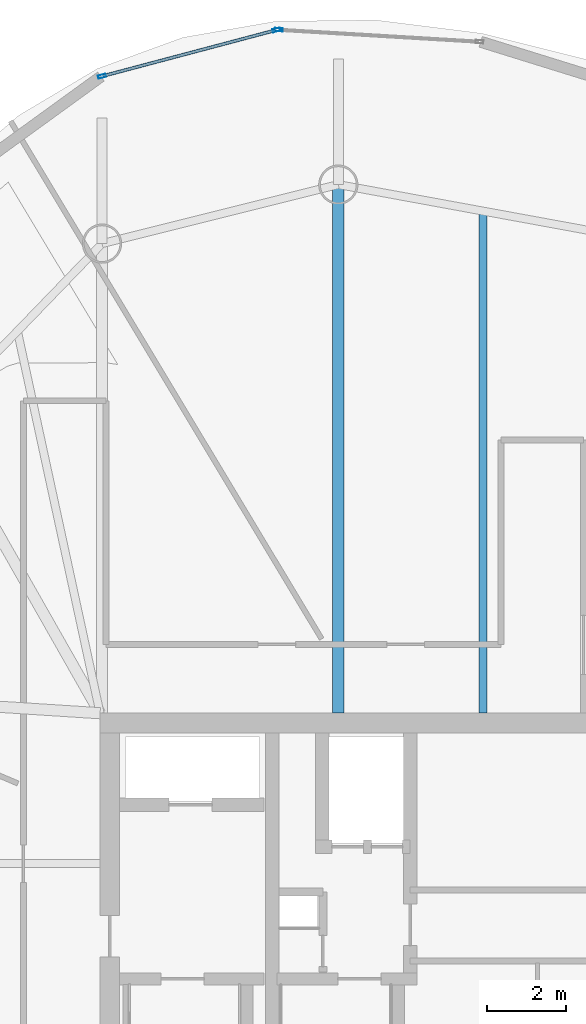
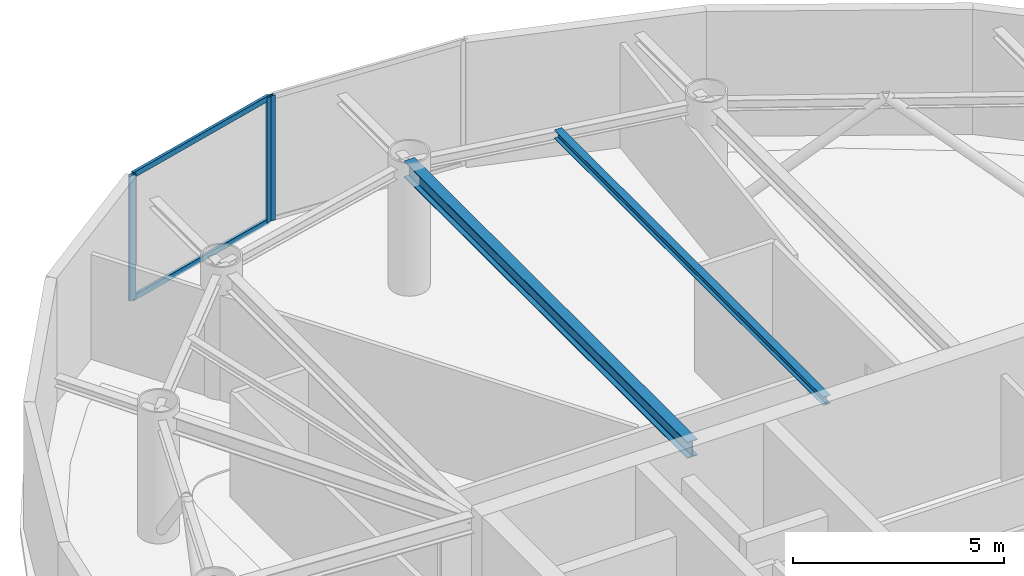
# One storey, part 9 of 19: 5 members, 2 beams, 2 elements without a shape of their own.
"""IFC4 building model written with IfcOpenShell, lengths in metres."""

from ifc_helpers import new_model, si_unit, direction, frame, origin, origin_2d, place, context, subcontext, project, spatial, hollow_rectangle, i_section, extrude, material, layer, layer_set, material_profile, profile_set, type_object, element, aggregate, save


model = new_model("IFC4")

# Units and contexts
model_context = context("Model", 3, precision=1e-05, world=origin(), true_north=direction((0.0, 1.0)))
body_context = subcontext(model_context, "Body", "Model", "MODEL_VIEW")
ifc_project = project(units=[si_unit("LENGTHUNIT", "METRE"), si_unit("AREAUNIT", "SQUARE_METRE"), si_unit("VOLUMEUNIT", "CUBIC_METRE"), si_unit("PLANEANGLEUNIT", "RADIAN"), si_unit("MASSUNIT", "GRAM", prefix="KILO")], contexts=[model_context])

# Site, building, storey
site_placement = place(None, origin())
site = spatial("IfcSite", under=ifc_project, at=site_placement, CompositionType="ELEMENT")
building_placement = place(site_placement, origin())
building = spatial("IfcBuilding", under=site, at=building_placement, Name="Bramvorn Convention Spire", CompositionType="ELEMENT")
storey_placement = place(building_placement, frame((0.0, 0.0, 292.10009765625)))
storey = spatial("IfcBuildingStorey", under=building, at=storey_placement, Name="L74", CompositionType="ELEMENT", Elevation=292.10009765625)

# Beams
ifc_material_1 = material(Name="Steel CSA G40.21 Grade 350 (350W)", Category="steel")
ifc_material_profile_1 = material_profile(ifc_material_1, i_section(OverallWidth=0.201904296875, OverallDepth=0.2470703125, WebThickness=0.00732421875, FlangeThickness=0.010986328125, FilletRadius=0.011962890625, at=origin_2d()))
ifc_profile_set_1 = profile_set([ifc_material_profile_1], Name="Steel CSA G40.21 Grade 350 (350W) - W250X49")
beam_type_1 = type_object("IfcBeamType", Name="BM-W250X49", PredefinedType="JOIST", material=ifc_profile_set_1)
beam_1_placement = place(storey_placement, frame((36.498046875, 33.449951171875, 3.50146484375), z_axis=(0.0, 1.0, 0.0), x_axis=(-1.0, 0.0, 0.0)))
element("IfcBeam", 1, at=beam_1_placement, inside=storey, type_object=beam_type_1, Name="L74 composite floor joist 07", PredefinedType="JOIST", context=body_context, shape_type="SweptSolid", body=[
    extrude(i_section(OverallWidth=0.201904296875, OverallDepth=0.2470703125, WebThickness=0.00732421875, FlangeThickness=0.010986328125, FilletRadius=0.011962890625, at=origin_2d()), origin(), (0.0, 0.0, 1.0), 12.77587890625),
])
ifc_material_profile_2 = material_profile(ifc_material_1, i_section(OverallWidth=0.283935546875, OverallDepth=0.47607421875, WebThickness=0.014892578125, FlangeThickness=0.02392578125, FilletRadius=0.01806640625, at=origin_2d()))
ifc_profile_set_2 = profile_set([ifc_material_profile_2], Name="Steel CSA G40.21 Grade 350 (350W) - W460X158")
beam_type_2 = type_object("IfcBeamType", Name="BM-W460X158", PredefinedType="SPANDREL", material=ifc_profile_set_2)
beam_2_placement = place(storey_placement, frame((32.8115234375, 33.449951171875, 3.386962890625), z_axis=(0.0, 1.0, 0.0), x_axis=(-1.0, 0.0, 0.0)))
element("IfcBeam", 2, at=beam_2_placement, inside=storey, type_object=beam_type_2, Name="L74 radial floor girder MC08", PredefinedType="SPANDREL", context=body_context, shape_type="SweptSolid", body=[
    extrude(i_section(OverallWidth=0.283935546875, OverallDepth=0.47607421875, WebThickness=0.014892578125, FlangeThickness=0.02392578125, FilletRadius=0.01806640625, at=origin_2d()), origin(), (0.0, 0.0, 1.0), 13.450927734375),
])

# Curtain wall, member
ifc_material_2 = material(Name="Anodised Bronze Unitised Curtain Wall", Category="aluminium")
ifc_layer = layer(ifc_material_2, 0.179931640625)
ifc_layer_set = layer_set([ifc_layer], Name="Anodised Bronze Unitised Curtain Wall - CW-OFF-FRIT")
curtain_wall_type = type_object("IfcCurtainWallType", Name="CW-OFF-FRIT", PredefinedType="USERDEFINED", material=ifc_layer_set)
curtain_wall_1_placement = place(storey_placement, origin())
curtain_wall_1 = element("IfcCurtainWall", 3, at=curtain_wall_1_placement, inside=storey, type_object=curtain_wall_type, Name="L74 fritted glass curtain wall 11", ObjectType="UNITISED CURTAIN WALL", PredefinedType="USERDEFINED")
ifc_material_3 = material(Name="Anodised Bronze Aluminium 6063-T6", Category="aluminium")
ifc_material_profile_3 = material_profile(ifc_material_3, hollow_rectangle(XDim=0.080078125, YDim=0.199951171875, WallThickness=0.00390625, InnerFilletRadius=0.0009765625, OuterFilletRadius=0.00390625, at=origin_2d()))
ifc_profile_set_3 = profile_set([ifc_material_profile_3], Name="Anodised Bronze Aluminium 6063-T6 - CWM80X200")
member_type_1 = type_object("IfcMemberType", Name="CW-MUL-180", PredefinedType="MULLION", material=ifc_profile_set_3)
member_1_placement = place(storey_placement, frame((31.295654296875, 50.839599609375, 0.0), z_axis=(0.0, 0.0, 1.0), x_axis=(0.059392070371, 0.998234732905, 0.0)))
member_1 = element("IfcMember", 4, at=member_1_placement, type_object=member_type_1, Name="CW3 mullion 1", PredefinedType="MULLION", context=body_context, shape_type="SweptSolid", body=[
    extrude(hollow_rectangle(XDim=0.080078125, YDim=0.199951171875, WallThickness=0.00390625, InnerFilletRadius=0.0009765625, OuterFilletRadius=0.00390625, at=origin_2d()), origin(), (0.0, 0.0, 1.0), 3.625),
])
aggregate(curtain_wall_1, [member_1])

# Curtain wall, members
curtain_wall_2_placement = place(storey_placement, origin())
curtain_wall_2 = element("IfcCurtainWall", 5, at=curtain_wall_2_placement, inside=storey, type_object=curtain_wall_type, Name="L74 fritted glass curtain wall 12", ObjectType="UNITISED CURTAIN WALL", PredefinedType="USERDEFINED")
member_2_placement = place(storey_placement, frame((26.799560546875, 49.656982421875, 0.0), z_axis=(0.0, 0.0, 1.0), x_axis=(-0.256353523862, 0.966583090481, 0.0)))
member_2 = element("IfcMember", 6, at=member_2_placement, type_object=member_type_1, Name="CW3 mullion 1", PredefinedType="MULLION", context=body_context, shape_type="SweptSolid", body=[
    extrude(hollow_rectangle(XDim=0.080078125, YDim=0.199951171875, WallThickness=0.00390625, InnerFilletRadius=0.0009765625, OuterFilletRadius=0.00390625, at=origin_2d()), origin(), (0.0, 0.0, 1.0), 3.625),
])
member_3_placement = place(storey_placement, frame((31.23681640625, 50.833740234375, 0.0), z_axis=(0.0, 0.0, 1.0), x_axis=(-0.256353523862, 0.966583090481, 0.0)))
member_3 = element("IfcMember", 7, at=member_3_placement, type_object=member_type_1, Name="CW3 mullion 2", PredefinedType="MULLION", context=body_context, shape_type="SweptSolid", body=[
    extrude(hollow_rectangle(XDim=0.080078125, YDim=0.199951171875, WallThickness=0.00390625, InnerFilletRadius=0.0009765625, OuterFilletRadius=0.00390625, at=origin_2d()), origin(), (0.0, 0.0, 1.0), 3.625),
])
ifc_material_profile_4 = material_profile(ifc_material_3, hollow_rectangle(XDim=0.080078125, YDim=0.159912109375, WallThickness=0.00390625, InnerFilletRadius=0.0009765625, OuterFilletRadius=0.00390625, at=origin_2d()))
ifc_profile_set_4 = profile_set([ifc_material_profile_4], Name="Anodised Bronze Aluminium 6063-T6 - CWT80X160")
member_type_2 = type_object("IfcMemberType", Name="CW-TRN-150", PredefinedType="USERDEFINED", material=ifc_profile_set_4)
member_4_placement = place(storey_placement, frame((26.82861328125, 49.664794921875, 0.02978515625), z_axis=(0.966585541045, 0.256344283813, 0.0), x_axis=(-0.256344283813, 0.966585541045, 0.0)))
member_4 = element("IfcMember", 8, at=member_4_placement, type_object=member_type_2, Name="CW3 transom 1.1", ObjectType="TRANSOM", PredefinedType="USERDEFINED", context=body_context, shape_type="SweptSolid", body=[
    extrude(hollow_rectangle(XDim=0.080078125, YDim=0.159912109375, WallThickness=0.00390625, InnerFilletRadius=0.0009765625, OuterFilletRadius=0.00390625, at=origin_2d()), origin(), (0.0, 0.0, 1.0), 4.530517578125),
])
member_5_placement = place(storey_placement, frame((26.82861328125, 49.664794921875, 3.594970703125), z_axis=(0.966585541045, 0.256344283813, 0.0), x_axis=(-0.256344283813, 0.966585541045, 0.0)))
member_5 = element("IfcMember", 9, at=member_5_placement, type_object=member_type_2, Name="CW3 transom 1.2", ObjectType="TRANSOM", PredefinedType="USERDEFINED", context=body_context, shape_type="SweptSolid", body=[
    extrude(hollow_rectangle(XDim=0.080078125, YDim=0.159912109375, WallThickness=0.00390625, InnerFilletRadius=0.0009765625, OuterFilletRadius=0.00390625, at=origin_2d()), origin(), (0.0, 0.0, 1.0), 4.530517578125),
])
aggregate(curtain_wall_2, [member_2, member_3, member_4, member_5])

save(model, "model.ifc")
